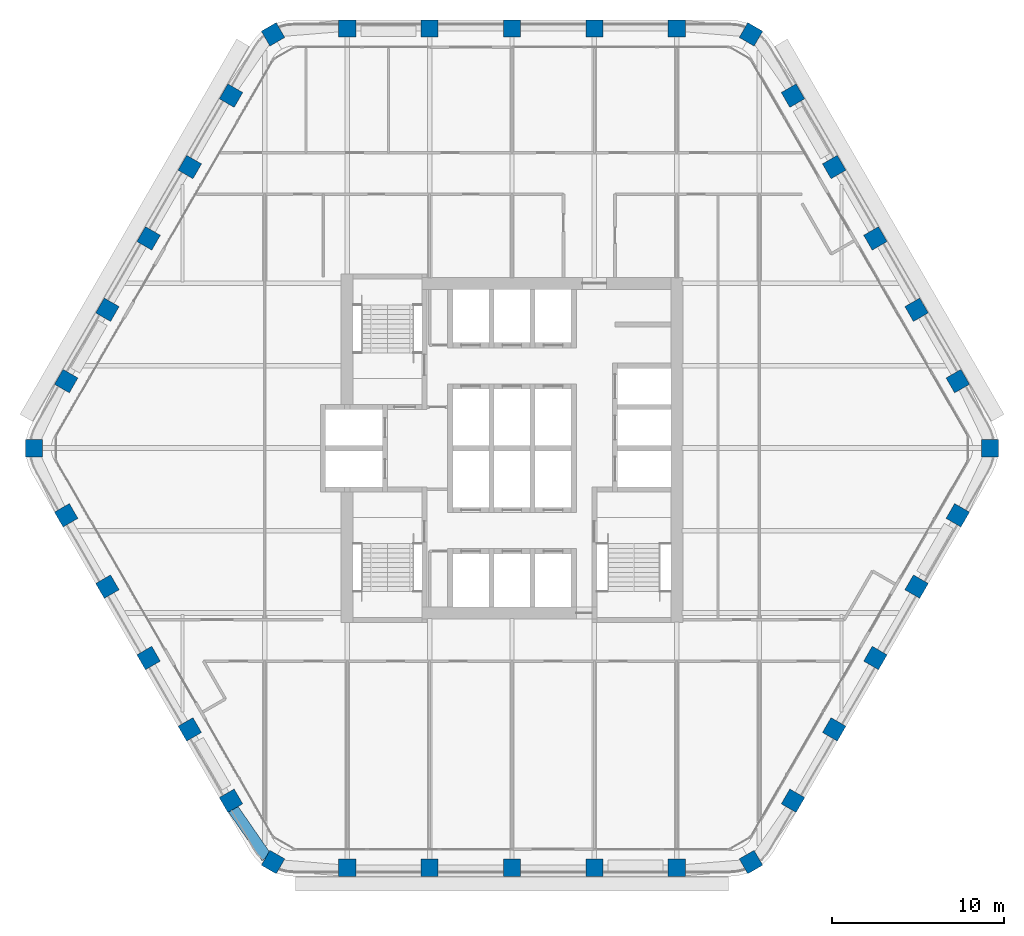
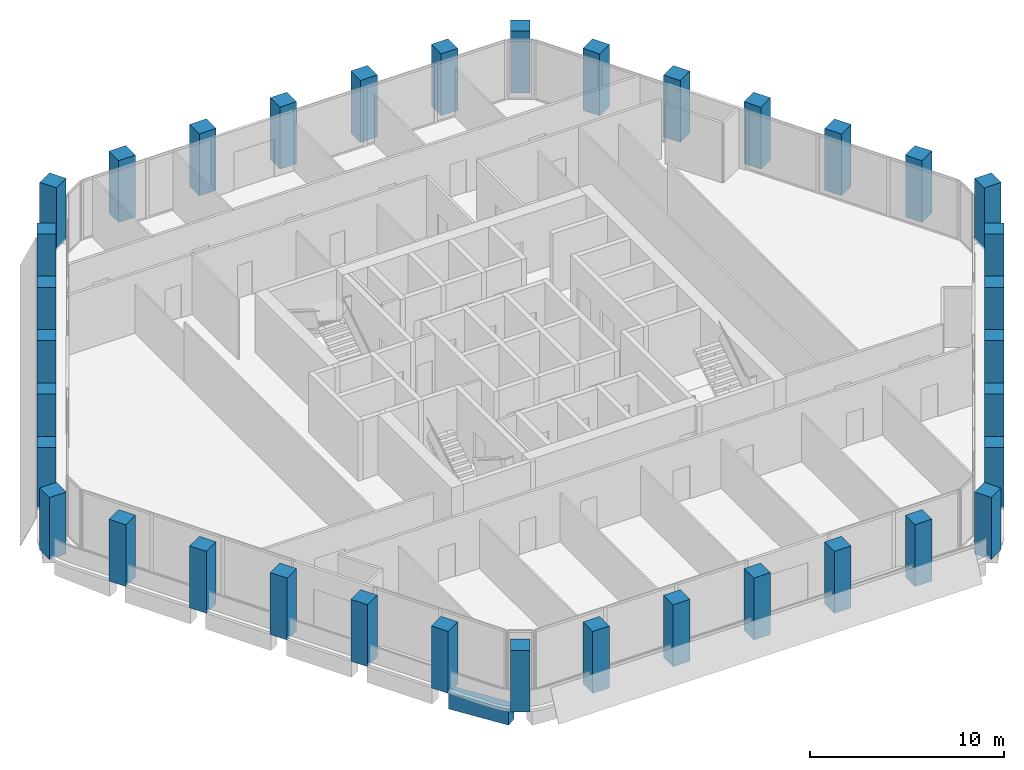
# One storey, part 1 of 15: 36 columns, 1 beam.
"""IFC4 building model written with IfcOpenShell, lengths in metres."""

from ifc_helpers import new_model, si_unit, direction, frame, origin, origin_2d, place, context, subcontext, project, spatial, rectangle, extrude, material, material_profile, profile_set, type_object, element, save


model = new_model("IFC4")

# Units and contexts
model_context = context("Model", 3, precision=1e-05, world=origin(), true_north=direction((0.0, 1.0)))
body_context = subcontext(model_context, "Body", "Model", "MODEL_VIEW")
ifc_project = project(units=[si_unit("LENGTHUNIT", "METRE"), si_unit("AREAUNIT", "SQUARE_METRE"), si_unit("VOLUMEUNIT", "CUBIC_METRE"), si_unit("PLANEANGLEUNIT", "RADIAN"), si_unit("MASSUNIT", "GRAM", prefix="KILO")], contexts=[model_context])

# Site, building, storey
site_placement = place(None, origin())
site = spatial("IfcSite", under=ifc_project, at=site_placement, CompositionType="ELEMENT")
building_placement = place(site_placement, origin())
building = spatial("IfcBuilding", under=site, at=building_placement, Name="Kolab Exchange Tower", CompositionType="ELEMENT")
storey_placement = place(building_placement, frame((0.0, 0.0, 189.5)))
storey = spatial("IfcBuildingStorey", under=building, at=storey_placement, Name="L40", CompositionType="ELEMENT", Elevation=189.5)

# Columns
ifc_material = material(Name="Concrete C60/75", Category="concrete")
ifc_material_profile_1 = material_profile(ifc_material, rectangle(XDim=1.0, YDim=1.0, at=origin_2d()), Name="RC1000")
ifc_profile_set_1 = profile_set([ifc_material_profile_1], Name="Concrete C60/75")
column_type = type_object("IfcColumnType", Name="PERIMETER COLUMN 1000 SQ C60/75", PredefinedType="COLUMN", material=ifc_profile_set_1)
for number, where, z_axis, x_axis, name in (
    (1, (-13.91796875, 24.106689453125, -0.14990234375), (0.0, 0.0, 1.0), (0.866025403784, 0.5, 0.0), "col/L40/F1-01"),
    (2, (-9.60009765625, 24.441650390625, -0.14990234375), (0.0, 0.0, 1.0), (1.0, 0.0, 0.0), "col/L40/F1-02"),
    (3, (-4.800048828125, 24.441650390625, -0.14990234375), (0.0, 0.0, 1.0), (1.0, 0.0, 0.0), "col/L40/F1-03"),
    (4, (0.0, 24.441650390625, -0.14990234375), (0.0, 0.0, 1.0), (1.0, 0.0, 0.0), "col/L40/F1-04"),
    (5, (4.800048828125, 24.441650390625, -0.14990234375), (0.0, 0.0, 1.0), (1.0, 0.0, 0.0), "col/L40/F1-05"),
    (6, (9.60009765625, 24.441650390625, -0.14990234375), (0.0, 0.0, 1.0), (1.0, 0.0, 0.0), "col/L40/F1-06"),
    (7, (13.91796875, 24.106689453125, -0.14990234375), (0.0, 0.0, 1.0), (0.5, 0.866025403784, 0.0), "col/L40/F2-01"),
    (8, (16.366943359375, 20.53466796875, -0.14990234375), (0.0, 0.0, 1.0), (0.866025403784, 0.5, 0.0), "col/L40/F2-02"),
    (9, (18.76708984375, 16.377685546875, -0.14990234375), (0.0, 0.0, 1.0), (0.866025403784, 0.5, 0.0), "col/L40/F2-03"),
    (10, (21.1669921875, 12.220703125, -0.14990234375), (0.0, 0.0, 1.0), (0.866025403784, 0.5, 0.0), "col/L40/F2-04"),
    (11, (23.56689453125, 8.06396484375, -0.14990234375), (0.0, 0.0, 1.0), (0.866025403784, 0.5, 0.0), "col/L40/F2-05"),
    (12, (25.967041015625, 3.906982421875, -0.14990234375), (0.0, 0.0, 1.0), (0.866025403784, 0.5, 0.0), "col/L40/F2-06"),
    (13, (27.8359375, 0.0, -0.14990234375), (0.0, 0.0, 1.0), (1.0, 0.0, 0.0), "col/L40/F3-01"),
    (14, (25.967041015625, -3.906982421875, -0.14990234375), (0.0, 0.0, 1.0), (0.5, 0.866025403784, 0.0), "col/L40/F3-02"),
    (15, (23.56689453125, -8.06396484375, -0.14990234375), (0.0, 0.0, 1.0), (0.5, 0.866025403784, 0.0), "col/L40/F3-03"),
    (16, (21.1669921875, -12.220703125, -0.14990234375), (0.0, 0.0, 1.0), (0.5, 0.866025403784, 0.0), "col/L40/F3-04"),
    (17, (18.76708984375, -16.377685546875, -0.14990234375), (0.0, 0.0, 1.0), (0.5, 0.866025403784, 0.0), "col/L40/F3-05"),
    (18, (16.366943359375, -20.53466796875, -0.14990234375), (0.0, 0.0, 1.0), (0.5, 0.866025403784, 0.0), "col/L40/F3-06"),
    (19, (13.91796875, -24.106689453125, -0.14990234375), (0.0, 0.0, 1.0), (0.866025403784, 0.5, 0.0), "col/L40/F4-01"),
    (20, (9.60009765625, -24.441650390625, -0.14990234375), (0.0, 0.0, 1.0), (1.0, 0.0, 0.0), "col/L40/F4-02"),
    (21, (4.800048828125, -24.441650390625, -0.14990234375), (0.0, 0.0, 1.0), (1.0, 0.0, 0.0), "col/L40/F4-03"),
    (22, (0.0, -24.441650390625, -0.14990234375), (0.0, 0.0, 1.0), (1.0, 0.0, 0.0), "col/L40/F4-04"),
    (23, (-4.800048828125, -24.441650390625, -0.14990234375), (0.0, 0.0, 1.0), (1.0, 0.0, 0.0), "col/L40/F4-05"),
    (24, (-9.60009765625, -24.441650390625, -0.14990234375), (0.0, 0.0, 1.0), (1.0, 0.0, 0.0), "col/L40/F4-06"),
    (25, (-13.91796875, -24.106689453125, -0.14990234375), (0.0, 0.0, 1.0), (0.5, 0.866025403784, 0.0), "col/L40/F5-01"),
    (26, (-16.366943359375, -20.53466796875, -0.14990234375), (0.0, 0.0, 1.0), (0.866025403784, 0.5, 0.0), "col/L40/F5-02"),
    (27, (-18.76708984375, -16.377685546875, -0.14990234375), (0.0, 0.0, 1.0), (0.866025403784, 0.5, 0.0), "col/L40/F5-03"),
    (28, (-21.1669921875, -12.220703125, -0.14990234375), (0.0, 0.0, 1.0), (0.866025403784, 0.5, 0.0), "col/L40/F5-04"),
    (29, (-23.56689453125, -8.06396484375, -0.14990234375), (0.0, 0.0, 1.0), (0.866025403784, 0.5, 0.0), "col/L40/F5-05"),
    (30, (-25.967041015625, -3.906982421875, -0.14990234375), (0.0, 0.0, 1.0), (0.866025403784, 0.5, 0.0), "col/L40/F5-06"),
    (31, (-27.8359375, 0.0, -0.14990234375), (0.0, 0.0, 1.0), (1.0, 0.0, 0.0), "col/L40/F6-01"),
    (32, (-25.967041015625, 3.906982421875, -0.14990234375), (0.0, 0.0, 1.0), (0.5, 0.866025403784, 0.0), "col/L40/F6-02"),
    (33, (-23.56689453125, 8.06396484375, -0.14990234375), (0.0, 0.0, 1.0), (0.5, 0.866025403784, 0.0), "col/L40/F6-03"),
    (34, (-21.1669921875, 12.220703125, -0.14990234375), (0.0, 0.0, 1.0), (0.5, 0.866025403784, 0.0), "col/L40/F6-04"),
    (35, (-18.76708984375, 16.377685546875, -0.14990234375), (0.0, 0.0, 1.0), (0.5, 0.866025403784, 0.0), "col/L40/F6-05"),
    (36, (-16.366943359375, 20.53466796875, -0.14990234375), (0.0, 0.0, 1.0), (0.5, 0.866025403784, 0.0), "col/L40/F6-06"),
):
    element("IfcColumn", number, at=place(storey_placement, frame(where, z_axis=z_axis, x_axis=x_axis)), inside=storey, type_object=column_type, Name=name, PredefinedType="COLUMN", context=body_context, shape_type="SweptSolid", body=[
        extrude(rectangle(XDim=1.0, YDim=1.0, at=origin_2d()), origin(), (0.0, 0.0, 1.0), 3.89990234375),
    ])

# Beam
ifc_material_profile_2 = material_profile(ifc_material, rectangle(XDim=0.64990234375, YDim=1.0, at=origin_2d()), Name="RC650X1000")
ifc_profile_set_2 = profile_set([ifc_material_profile_2], Name="Concrete C60/75")
beam_type = type_object("IfcBeamType", Name="SPANDREL BEAM 650X1000 C60/75", PredefinedType="BEAM", material=ifc_profile_set_2)
beam_placement = place(storey_placement, frame((-14.29736328125, -23.8359375, -0.64990234375), z_axis=(-0.568572281073, 0.822633309073, 0.0), x_axis=(-0.822633309073, -0.568572281073, 0.0)))
element("IfcBeam", 37, at=beam_placement, inside=storey, type_object=beam_type, Name="beam/L40/sp/F5-01", PredefinedType="BEAM", context=body_context, shape_type="SweptSolid", body=[
    extrude(rectangle(XDim=0.64990234375, YDim=1.0, at=origin_2d()), origin(), (0.0, 0.0, 1.0), 3.445068359375),
])

save(model, "model.ifc")
